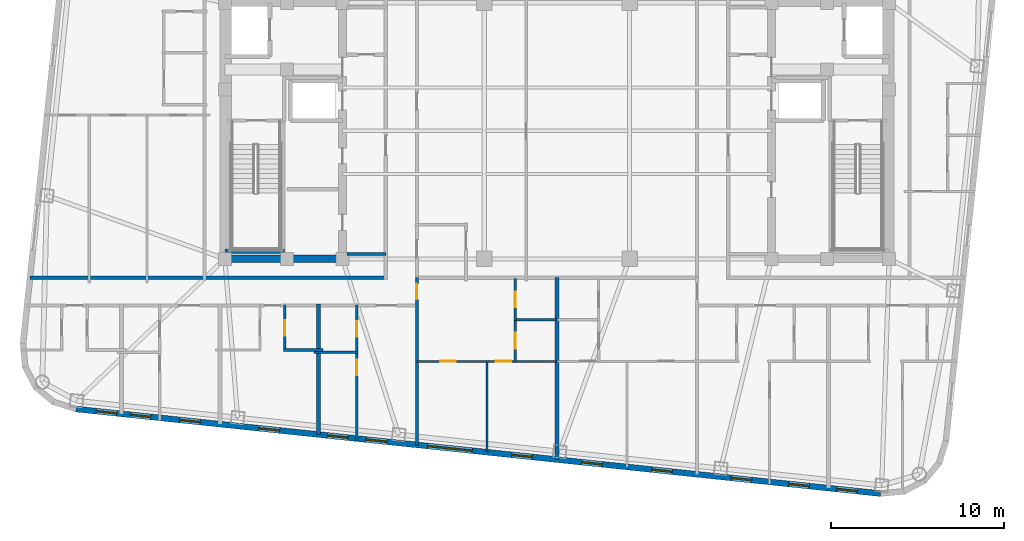
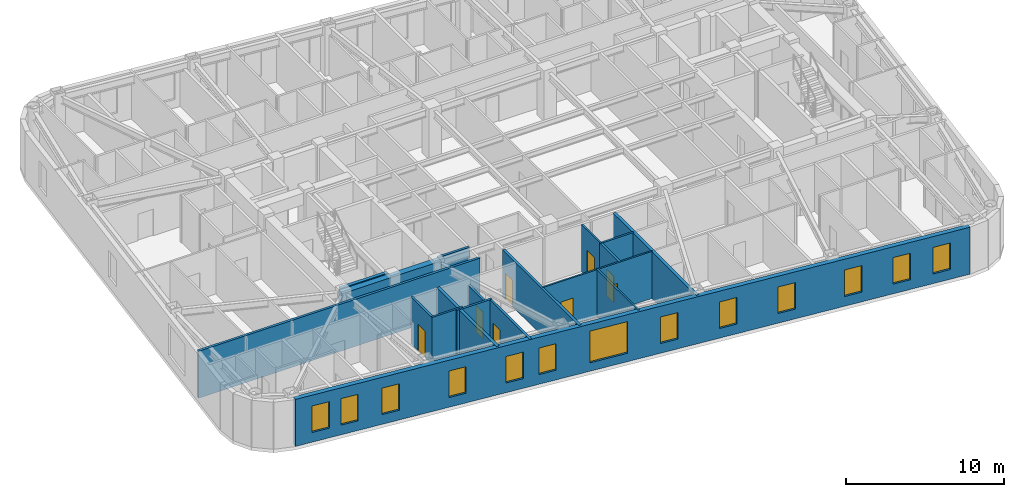
# One storey, part 3 of 11: 18 walls, 13 windows, 8 doors, 21 openings.
"""IFC4 building model written with IfcOpenShell, lengths in metres."""

from ifc_helpers import new_model, si_unit, direction, frame, frame_2d, origin, place, context, subcontext, project, spatial, rectangle, extrude, material, layer, layer_set, type_object, element, fill, save


model = new_model("IFC4")

# Units and contexts
model_context = context("Model", 3, precision=1e-05, world=origin(), true_north=direction((0.0, 1.0)))
body_context = subcontext(model_context, "Body", "Model", "MODEL_VIEW")
ifc_project = project(units=[si_unit("LENGTHUNIT", "METRE"), si_unit("AREAUNIT", "SQUARE_METRE"), si_unit("VOLUMEUNIT", "CUBIC_METRE"), si_unit("PLANEANGLEUNIT", "RADIAN"), si_unit("MASSUNIT", "GRAM", prefix="KILO")], contexts=[model_context])

# Site, building, storey
site_placement = place(None, origin())
site = spatial("IfcSite", under=ifc_project, at=site_placement, CompositionType="ELEMENT")
building_placement = place(site_placement, origin())
building = spatial("IfcBuilding", under=site, at=building_placement, Name="Voryun Gate Residences", CompositionType="ELEMENT")
storey_placement = place(building_placement, frame((0.0, 0.0, 299.0)))
storey = spatial("IfcBuildingStorey", under=building, at=storey_placement, Name="L74", CompositionType="ELEMENT", Elevation=299.0)

# Walls
ifc_material_1 = material(Name="Concrete C50/60", Category="concrete")
ifc_layer_1 = layer(ifc_material_1, 0.449951171875, Name="CW_CORE_450")
ifc_layer_set_1 = layer_set([ifc_layer_1], Name="Concrete C50/60")
wall_type_1 = type_object("IfcWallType", Name="CW_CORE_450", PredefinedType="SHEAR", material=ifc_layer_set_1)
wall_1_placement = place(storey_placement, frame((-19.425048828125, -7.39990234375, 0.0), z_axis=(0.0, 0.0, 1.0), x_axis=(1.0, 0.0, 0.0)))
element("IfcWall", 1, at=wall_1_placement, inside=storey, type_object=wall_type_1, Name="L74 Core shear wall CW-L74-WS", PredefinedType="SHEAR", context=body_context, shape_type="SweptSolid", body=[
    extrude(rectangle(XDim=7.25, YDim=0.449951171875, at=frame_2d((3.625, 0.0))), origin(), (0.0, 0.0, 1.0), 3.635009765625),
])
ifc_material_2 = material(Name="Gypsum acoustic fireboard")
ifc_layer_2 = layer(ifc_material_2, 0.179931640625, Name="W_CORR_RATED_180")
ifc_layer_set_2 = layer_set([ifc_layer_2], Name="Gypsum acoustic fireboard")
wall_type_2 = type_object("IfcWallType", Name="W_CORR_RATED_180", PredefinedType="PARTITIONING", material=ifc_layer_set_2)
wall_2_placement = place(storey_placement, frame((-12.14990234375, -7.1201171875, 0.0), z_axis=(0.0, 0.0, 1.0), x_axis=(1.0, 0.0, 0.0)))
element("IfcWall", 2, at=wall_2_placement, inside=storey, type_object=wall_type_2, Name="Partition wall WP-L74-PLBS-W", PredefinedType="PARTITIONING", context=body_context, shape_type="SweptSolid", body=[
    extrude(rectangle(XDim=2.27001953125, YDim=0.179931640625, at=frame_2d((1.135009765625, 0.0))), origin(), (0.0, 0.0, 1.0), 3.635009765625),
])
wall_3_placement = place(storey_placement, frame((-30.47021484375, -8.489990234375, 0.0), z_axis=(0.0, 0.0, 1.0), x_axis=(1.0, 0.0, 0.0)))
element("IfcWall", 3, at=wall_3_placement, inside=storey, type_object=wall_type_2, Name="Partition wall WP-L74-CWING-WS", PredefinedType="PARTITIONING", context=body_context, shape_type="SweptSolid", body=[
    extrude(rectangle(XDim=20.59033203125, YDim=0.179931640625, at=frame_2d((10.295166015625, 0.0))), origin(), (0.0, 0.0, 1.0), 3.635009765625),
])

# Wall, opening, door
wall_4_placement = place(storey_placement, frame((-8.10009765625, -18.154541015625, 0.0), z_axis=(0.0, 0.0, 1.0), x_axis=(0.0, 1.0, 0.0)))
wall_4 = element("IfcWall", 4, at=wall_4_placement, inside=storey, type_object=wall_type_2, Name="Partition wall WP-L74-SZV-1", PredefinedType="PARTITIONING", context=body_context, shape_type="SweptSolid", body=[
    extrude(rectangle(XDim=9.66455078125, YDim=0.179931640625, at=frame_2d((4.832275390625, 0.0))), origin(), (0.0, 0.0, 1.0), 3.635009765625),
])
opening_1_placement = place(wall_4_placement, frame((8.414306640625, 0.0, 0.0)))
opening_1 = element("IfcOpeningElement", 5, at=opening_1_placement, cuts=wall_4, Name="Opening D-INT-2", PredefinedType="OPENING", context=body_context, shape_type="SweptSolid", body=[
    extrude(rectangle(XDim=0.89990234375, YDim=2.050048828125, at=frame_2d((0.449951171875, 1.02490234375))), frame((0.0, 0.099853515625, 0.0), z_axis=(0.0, -1.0, 0.0), x_axis=(1.0, 0.0, 0.0)), (0.0, 0.0, 1.0), 0.199951171875),
])
ifc_material_3 = material(Name="Architectural oak veneer")
door_type = type_object("IfcDoorType", Name="DR_INT_BATH_900", OperationType="NOTDEFINED", PredefinedType="DOOR", material=ifc_material_3)
door_1_placement = place(opening_1_placement, origin())
door_1 = element("IfcDoor", 6, at=door_1_placement, inside=storey, type_object=door_type, Name="Door DR-L74-SZENT-1", OperationType="SINGLE_SWING_LEFT", OverallHeight=2.050048828125, OverallWidth=0.89990234375, PredefinedType="DOOR", context=body_context, shape_type="SweptSolid", body=[
    extrude(rectangle(XDim=0.89990234375, YDim=2.050048828125, at=frame_2d((0.449951171875, 1.02490234375))), frame((0.0, 0.02490234375, 0.0), z_axis=(0.0, -1.0, 0.0), x_axis=(1.0, 0.0, 0.0)), (0.0, 0.0, 1.0), 0.050048828125),
])
fill(opening_1, door_1)

# Wall, openings, windows
ifc_material_4 = material(Name="Charcoal terracotta masonry", Category="masonry")
ifc_layer_3 = layer(ifc_material_4, 0.340087890625, Name="W_EXT_TERRACOTTA_340")
ifc_layer_set_3 = layer_set([ifc_layer_3], Name="Charcoal terracotta masonry")
wall_type_3 = type_object("IfcWallType", Name="W_EXT_TERRACOTTA_340", PredefinedType="ELEMENTEDWALL", material=ifc_layer_set_3)
wall_5_placement = place(storey_placement, frame((18.707763671875, -20.97216796875, 0.0), z_axis=(0.0, 0.0, 1.0), x_axis=(-0.994521888554, 0.104528528102, 0.0)))
wall_5 = element("IfcWall", 7, at=wall_5_placement, inside=storey, type_object=wall_type_3, Name="Exterior wall WEXT-L74-01", PredefinedType="ELEMENTEDWALL", context=body_context, shape_type="SweptSolid", body=[
    extrude(rectangle(XDim=46.766357421875, YDim=0.340087890625, at=frame_2d((23.38330078125, 0.0))), origin(), (0.0, 0.0, 1.0), 3.635009765625),
])
opening_2_placement = place(wall_5_placement, frame((23.733154296875, 0.0, 0.64990234375)))
opening_2 = element("IfcOpeningElement", 8, at=opening_2_placement, cuts=wall_5, Name="Opening WN4", PredefinedType="OPENING", context=body_context, shape_type="SweptSolid", body=[
    extrude(rectangle(XDim=2.60009765625, YDim=2.449951171875, at=frame_2d((1.300048828125, 1.22509765625))), frame((0.0, 0.179931640625, 0.0), z_axis=(0.0, -1.0, 0.0), x_axis=(1.0, 0.0, 0.0)), (0.0, 0.0, 1.0), 0.360107421875),
])
opening_3_placement = place(wall_5_placement, frame((44.40185546875, 0.0, 0.75)))
opening_3 = element("IfcOpeningElement", 9, at=opening_3_placement, cuts=wall_5, Name="Opening WN6", PredefinedType="OPENING", context=body_context, shape_type="SweptSolid", body=[
    extrude(rectangle(XDim=1.199951171875, YDim=2.050048828125, at=frame_2d((0.60009765625, 1.02490234375))), frame((0.0, 0.179931640625, 0.0), z_axis=(0.0, -1.0, 0.0), x_axis=(1.0, 0.0, 0.0)), (0.0, 0.0, 1.0), 0.360107421875),
])
opening_4_placement = place(wall_5_placement, frame((39.552978515625, 0.0, 0.75)))
opening_4 = element("IfcOpeningElement", 10, at=opening_4_placement, cuts=wall_5, Name="Opening WN6", PredefinedType="OPENING", context=body_context, shape_type="SweptSolid", body=[
    extrude(rectangle(XDim=1.199951171875, YDim=2.050048828125, at=frame_2d((0.60009765625, 1.02490234375))), frame((0.0, 0.179931640625, 0.0), z_axis=(0.0, -1.0, 0.0), x_axis=(1.0, 0.0, 0.0)), (0.0, 0.0, 1.0), 0.360107421875),
])
opening_5_placement = place(wall_5_placement, frame((42.418701171875, 0.0, 0.75)))
opening_5 = element("IfcOpeningElement", 11, at=opening_5_placement, cuts=wall_5, Name="Opening WN6", PredefinedType="OPENING", context=body_context, shape_type="SweptSolid", body=[
    extrude(rectangle(XDim=1.199951171875, YDim=2.050048828125, at=frame_2d((0.60009765625, 1.02490234375))), frame((0.0, 0.179931640625, 0.0), z_axis=(0.0, -1.0, 0.0), x_axis=(1.0, 0.0, 0.0)), (0.0, 0.0, 1.0), 0.360107421875),
])
opening_6_placement = place(wall_5_placement, frame((34.93310546875, 0.0, 0.75)))
opening_6 = element("IfcOpeningElement", 12, at=opening_6_placement, cuts=wall_5, Name="Opening WN6", PredefinedType="OPENING", context=body_context, shape_type="SweptSolid", body=[
    extrude(rectangle(XDim=1.199951171875, YDim=2.050048828125, at=frame_2d((0.60009765625, 1.02490234375))), frame((0.0, 0.179931640625, 0.0), z_axis=(0.0, -1.0, 0.0), x_axis=(1.0, 0.0, 0.0)), (0.0, 0.0, 1.0), 0.360107421875),
])
opening_7_placement = place(wall_5_placement, frame((28.69189453125, 0.0, 0.75)))
opening_7 = element("IfcOpeningElement", 13, at=opening_7_placement, cuts=wall_5, Name="Opening WN6", PredefinedType="OPENING", context=body_context, shape_type="SweptSolid", body=[
    extrude(rectangle(XDim=1.199951171875, YDim=2.050048828125, at=frame_2d((0.60009765625, 1.02490234375))), frame((0.0, 0.179931640625, 0.0), z_axis=(0.0, -1.0, 0.0), x_axis=(1.0, 0.0, 0.0)), (0.0, 0.0, 1.0), 0.360107421875),
])
opening_8_placement = place(wall_5_placement, frame((30.95703125, 0.0, 0.75)))
opening_8 = element("IfcOpeningElement", 14, at=opening_8_placement, cuts=wall_5, Name="Opening WN6", PredefinedType="OPENING", context=body_context, shape_type="SweptSolid", body=[
    extrude(rectangle(XDim=1.199951171875, YDim=2.050048828125, at=frame_2d((0.60009765625, 1.02490234375))), frame((0.0, 0.179931640625, 0.0), z_axis=(0.0, -1.0, 0.0), x_axis=(1.0, 0.0, 0.0)), (0.0, 0.0, 1.0), 0.360107421875),
])
opening_9_placement = place(wall_5_placement, frame((7.491943359375, 0.0, 0.75)))
opening_9 = element("IfcOpeningElement", 15, at=opening_9_placement, cuts=wall_5, Name="Opening WN6", PredefinedType="OPENING", context=body_context, shape_type="SweptSolid", body=[
    extrude(rectangle(XDim=1.199951171875, YDim=2.050048828125, at=frame_2d((0.60009765625, 1.02490234375))), frame((0.0, 0.179931640625, 0.0), z_axis=(0.0, -1.0, 0.0), x_axis=(1.0, 0.0, 0.0)), (0.0, 0.0, 1.0), 0.360107421875),
])
opening_10_placement = place(wall_5_placement, frame((4.14111328125, 0.0, 0.75)))
opening_10 = element("IfcOpeningElement", 16, at=opening_10_placement, cuts=wall_5, Name="Opening WN6", PredefinedType="OPENING", context=body_context, shape_type="SweptSolid", body=[
    extrude(rectangle(XDim=1.199951171875, YDim=2.050048828125, at=frame_2d((0.60009765625, 1.02490234375))), frame((0.0, 0.179931640625, 0.0), z_axis=(0.0, -1.0, 0.0), x_axis=(1.0, 0.0, 0.0)), (0.0, 0.0, 1.0), 0.360107421875),
])
opening_11_placement = place(wall_5_placement, frame((1.359619140625, 0.0, 0.75)))
opening_11 = element("IfcOpeningElement", 17, at=opening_11_placement, cuts=wall_5, Name="Opening WN6", PredefinedType="OPENING", context=body_context, shape_type="SweptSolid", body=[
    extrude(rectangle(XDim=1.199951171875, YDim=2.050048828125, at=frame_2d((0.60009765625, 1.02490234375))), frame((0.0, 0.179931640625, 0.0), z_axis=(0.0, -1.0, 0.0), x_axis=(1.0, 0.0, 0.0)), (0.0, 0.0, 1.0), 0.360107421875),
])
opening_12_placement = place(wall_5_placement, frame((20.25439453125, 0.0, 0.75)))
opening_12 = element("IfcOpeningElement", 18, at=opening_12_placement, cuts=wall_5, Name="Opening WN6", PredefinedType="OPENING", context=body_context, shape_type="SweptSolid", body=[
    extrude(rectangle(XDim=1.199951171875, YDim=2.050048828125, at=frame_2d((0.60009765625, 1.02490234375))), frame((0.0, 0.179931640625, 0.0), z_axis=(0.0, -1.0, 0.0), x_axis=(1.0, 0.0, 0.0)), (0.0, 0.0, 1.0), 0.360107421875),
])
opening_13_placement = place(wall_5_placement, frame((16.172119140625, 0.0, 0.75)))
opening_13 = element("IfcOpeningElement", 19, at=opening_13_placement, cuts=wall_5, Name="Opening WN6", PredefinedType="OPENING", context=body_context, shape_type="SweptSolid", body=[
    extrude(rectangle(XDim=1.199951171875, YDim=2.050048828125, at=frame_2d((0.60009765625, 1.02490234375))), frame((0.0, 0.179931640625, 0.0), z_axis=(0.0, -1.0, 0.0), x_axis=(1.0, 0.0, 0.0)), (0.0, 0.0, 1.0), 0.360107421875),
])
opening_14_placement = place(wall_5_placement, frame((12.109619140625, 0.0, 0.75)))
opening_14 = element("IfcOpeningElement", 20, at=opening_14_placement, cuts=wall_5, Name="Opening WN6", PredefinedType="OPENING", context=body_context, shape_type="SweptSolid", body=[
    extrude(rectangle(XDim=1.199951171875, YDim=2.050048828125, at=frame_2d((0.60009765625, 1.02490234375))), frame((0.0, 0.179931640625, 0.0), z_axis=(0.0, -1.0, 0.0), x_axis=(1.0, 0.0, 0.0)), (0.0, 0.0, 1.0), 0.360107421875),
])
ifc_material_5 = material(Name="Laminated low-E glass", Category="glass")
window_type_1 = type_object("IfcWindowType", Name="WN_PENT_TALL_2600", PartitioningType="SINGLE_PANEL", PredefinedType="WINDOW", material=ifc_material_5)
window_1_placement = place(opening_2_placement, origin())
window_1 = element("IfcWindow", 21, at=window_1_placement, inside=storey, type_object=window_type_1, Name="Window WN-WEXT-L74-01-02", OverallHeight=2.449951171875, OverallWidth=2.60009765625, PartitioningType="SINGLE_PANEL", PredefinedType="WINDOW", context=body_context, shape_type="SweptSolid", body=[
    extrude(rectangle(XDim=2.60009765625, YDim=2.449951171875, at=frame_2d((1.300048828125, 1.22509765625))), frame((0.0, 0.030029296875, 0.0), z_axis=(0.0, -1.0, 0.0), x_axis=(1.0, 0.0, 0.0)), (0.0, 0.0, 1.0), 0.06005859375),
])
fill(opening_2, window_1)
ifc_material_6 = material(Name="Laminated low-E glass", Category="glass")
window_type_2 = type_object("IfcWindowType", Name="WN_POD_SLOT_1200", PartitioningType="SINGLE_PANEL", PredefinedType="WINDOW", material=ifc_material_6)
window_2_placement = place(opening_3_placement, origin())
window_2 = element("IfcWindow", 22, at=window_2_placement, inside=storey, type_object=window_type_2, Name="Window WN-L74-DWFIX-15", OverallHeight=2.050048828125, OverallWidth=1.199951171875, PartitioningType="SINGLE_PANEL", PredefinedType="WINDOW", context=body_context, shape_type="SweptSolid", body=[
    extrude(rectangle(XDim=1.199951171875, YDim=2.050048828125, at=frame_2d((0.60009765625, 1.02490234375))), frame((0.0, 0.030029296875, 0.0), z_axis=(0.0, -1.0, 0.0), x_axis=(1.0, 0.0, 0.0)), (0.0, 0.0, 1.0), 0.06005859375),
])
fill(opening_3, window_2)
window_3_placement = place(opening_4_placement, origin())
window_3 = element("IfcWindow", 23, at=window_3_placement, inside=storey, type_object=window_type_2, Name="Window WN-L74-DWFIX-16", OverallHeight=2.050048828125, OverallWidth=1.199951171875, PartitioningType="SINGLE_PANEL", PredefinedType="WINDOW", context=body_context, shape_type="SweptSolid", body=[
    extrude(rectangle(XDim=1.199951171875, YDim=2.050048828125, at=frame_2d((0.60009765625, 1.02490234375))), frame((0.0, 0.030029296875, 0.0), z_axis=(0.0, -1.0, 0.0), x_axis=(1.0, 0.0, 0.0)), (0.0, 0.0, 1.0), 0.06005859375),
])
fill(opening_4, window_3)
window_4_placement = place(opening_5_placement, origin())
window_4 = element("IfcWindow", 24, at=window_4_placement, inside=storey, type_object=window_type_2, Name="Window WN-L74-DWFIX-17", OverallHeight=2.050048828125, OverallWidth=1.199951171875, PartitioningType="SINGLE_PANEL", PredefinedType="WINDOW", context=body_context, shape_type="SweptSolid", body=[
    extrude(rectangle(XDim=1.199951171875, YDim=2.050048828125, at=frame_2d((0.60009765625, 1.02490234375))), frame((0.0, 0.030029296875, 0.0), z_axis=(0.0, -1.0, 0.0), x_axis=(1.0, 0.0, 0.0)), (0.0, 0.0, 1.0), 0.06005859375),
])
fill(opening_5, window_4)
window_5_placement = place(opening_6_placement, origin())
window_5 = element("IfcWindow", 25, at=window_5_placement, inside=storey, type_object=window_type_2, Name="Window WN-L74-DWFIX-18", OverallHeight=2.050048828125, OverallWidth=1.199951171875, PartitioningType="SINGLE_PANEL", PredefinedType="WINDOW", context=body_context, shape_type="SweptSolid", body=[
    extrude(rectangle(XDim=1.199951171875, YDim=2.050048828125, at=frame_2d((0.60009765625, 1.02490234375))), frame((0.0, 0.030029296875, 0.0), z_axis=(0.0, -1.0, 0.0), x_axis=(1.0, 0.0, 0.0)), (0.0, 0.0, 1.0), 0.06005859375),
])
fill(opening_6, window_5)
window_6_placement = place(opening_7_placement, origin())
window_6 = element("IfcWindow", 26, at=window_6_placement, inside=storey, type_object=window_type_2, Name="Window WN-L74-DWFIX-19", OverallHeight=2.050048828125, OverallWidth=1.199951171875, PartitioningType="SINGLE_PANEL", PredefinedType="WINDOW", context=body_context, shape_type="SweptSolid", body=[
    extrude(rectangle(XDim=1.199951171875, YDim=2.050048828125, at=frame_2d((0.60009765625, 1.02490234375))), frame((0.0, 0.030029296875, 0.0), z_axis=(0.0, -1.0, 0.0), x_axis=(1.0, 0.0, 0.0)), (0.0, 0.0, 1.0), 0.06005859375),
])
fill(opening_7, window_6)
window_7_placement = place(opening_8_placement, origin())
window_7 = element("IfcWindow", 27, at=window_7_placement, inside=storey, type_object=window_type_2, Name="Window WN-L74-DWFIX-20", OverallHeight=2.050048828125, OverallWidth=1.199951171875, PartitioningType="SINGLE_PANEL", PredefinedType="WINDOW", context=body_context, shape_type="SweptSolid", body=[
    extrude(rectangle(XDim=1.199951171875, YDim=2.050048828125, at=frame_2d((0.60009765625, 1.02490234375))), frame((0.0, 0.030029296875, 0.0), z_axis=(0.0, -1.0, 0.0), x_axis=(1.0, 0.0, 0.0)), (0.0, 0.0, 1.0), 0.06005859375),
])
fill(opening_8, window_7)
window_8_placement = place(opening_9_placement, origin())
window_8 = element("IfcWindow", 28, at=window_8_placement, inside=storey, type_object=window_type_2, Name="Window WN-L74-DWFIX-21", OverallHeight=2.050048828125, OverallWidth=1.199951171875, PartitioningType="SINGLE_PANEL", PredefinedType="WINDOW", context=body_context, shape_type="SweptSolid", body=[
    extrude(rectangle(XDim=1.199951171875, YDim=2.050048828125, at=frame_2d((0.60009765625, 1.02490234375))), frame((0.0, 0.030029296875, 0.0), z_axis=(0.0, -1.0, 0.0), x_axis=(1.0, 0.0, 0.0)), (0.0, 0.0, 1.0), 0.06005859375),
])
fill(opening_9, window_8)
window_9_placement = place(opening_10_placement, origin())
window_9 = element("IfcWindow", 29, at=window_9_placement, inside=storey, type_object=window_type_2, Name="Window WN-L74-DWFIX-22", OverallHeight=2.050048828125, OverallWidth=1.199951171875, PartitioningType="SINGLE_PANEL", PredefinedType="WINDOW", context=body_context, shape_type="SweptSolid", body=[
    extrude(rectangle(XDim=1.199951171875, YDim=2.050048828125, at=frame_2d((0.60009765625, 1.02490234375))), frame((0.0, 0.030029296875, 0.0), z_axis=(0.0, -1.0, 0.0), x_axis=(1.0, 0.0, 0.0)), (0.0, 0.0, 1.0), 0.06005859375),
])
fill(opening_10, window_9)
window_10_placement = place(opening_11_placement, origin())
window_10 = element("IfcWindow", 30, at=window_10_placement, inside=storey, type_object=window_type_2, Name="Window WN-L74-DWFIX-23", OverallHeight=2.050048828125, OverallWidth=1.199951171875, PartitioningType="SINGLE_PANEL", PredefinedType="WINDOW", context=body_context, shape_type="SweptSolid", body=[
    extrude(rectangle(XDim=1.199951171875, YDim=2.050048828125, at=frame_2d((0.60009765625, 1.02490234375))), frame((0.0, 0.030029296875, 0.0), z_axis=(0.0, -1.0, 0.0), x_axis=(1.0, 0.0, 0.0)), (0.0, 0.0, 1.0), 0.06005859375),
])
fill(opening_11, window_10)
window_11_placement = place(opening_12_placement, origin())
window_11 = element("IfcWindow", 31, at=window_11_placement, inside=storey, type_object=window_type_2, Name="Window WN-L74-DWFIX-25", OverallHeight=2.050048828125, OverallWidth=1.199951171875, PartitioningType="SINGLE_PANEL", PredefinedType="WINDOW", context=body_context, shape_type="SweptSolid", body=[
    extrude(rectangle(XDim=1.199951171875, YDim=2.050048828125, at=frame_2d((0.60009765625, 1.02490234375))), frame((0.0, 0.030029296875, 0.0), z_axis=(0.0, -1.0, 0.0), x_axis=(1.0, 0.0, 0.0)), (0.0, 0.0, 1.0), 0.06005859375),
])
fill(opening_12, window_11)
window_12_placement = place(opening_13_placement, origin())
window_12 = element("IfcWindow", 32, at=window_12_placement, inside=storey, type_object=window_type_2, Name="Window WN-L74-DWFIX-26", OverallHeight=2.050048828125, OverallWidth=1.199951171875, PartitioningType="SINGLE_PANEL", PredefinedType="WINDOW", context=body_context, shape_type="SweptSolid", body=[
    extrude(rectangle(XDim=1.199951171875, YDim=2.050048828125, at=frame_2d((0.60009765625, 1.02490234375))), frame((0.0, 0.030029296875, 0.0), z_axis=(0.0, -1.0, 0.0), x_axis=(1.0, 0.0, 0.0)), (0.0, 0.0, 1.0), 0.06005859375),
])
fill(opening_13, window_12)
window_13_placement = place(opening_14_placement, origin())
window_13 = element("IfcWindow", 33, at=window_13_placement, inside=storey, type_object=window_type_2, Name="Window WN-L74-DWFIX-27", OverallHeight=2.050048828125, OverallWidth=1.199951171875, PartitioningType="SINGLE_PANEL", PredefinedType="WINDOW", context=body_context, shape_type="SweptSolid", body=[
    extrude(rectangle(XDim=1.199951171875, YDim=2.050048828125, at=frame_2d((0.60009765625, 1.02490234375))), frame((0.0, 0.030029296875, 0.0), z_axis=(0.0, -1.0, 0.0), x_axis=(1.0, 0.0, 0.0)), (0.0, 0.0, 1.0), 0.06005859375),
])
fill(opening_14, window_13)

# Walls
ifc_material_7 = material(Name="Concrete C40/50", Category="concrete")
ifc_layer_4 = layer(ifc_material_7, 0.219970703125, Name="W_PARTY_ACOUSTIC_220")
ifc_layer_set_4 = layer_set([ifc_layer_4], Name="Concrete C40/50")
wall_type_4 = type_object("IfcWallType", Name="W_PARTY_ACOUSTIC_220", PredefinedType="PARTITIONING", material=ifc_layer_set_4)
wall_6_placement = place(storey_placement, frame((-13.779052734375, -17.5576171875, 0.0), z_axis=(0.0, 0.0, 1.0), x_axis=(0.0, 1.0, 0.0)))
element("IfcWall", 34, at=wall_6_placement, inside=storey, type_object=wall_type_4, Name="Partition wall WP-L74-SPTY-3", PredefinedType="PARTITIONING", context=body_context, shape_type="SweptSolid", body=[
    extrude(rectangle(XDim=7.53759765625, YDim=0.219970703125, at=frame_2d((3.768798828125, 0.0))), origin(), (0.0, 0.0, 1.0), 3.635009765625),
])
wall_7_placement = place(storey_placement, frame((0.0, -19.005859375, 0.0), z_axis=(0.0, 0.0, 1.0), x_axis=(0.0, 1.0, 0.0)))
element("IfcWall", 35, at=wall_7_placement, inside=storey, type_object=wall_type_4, Name="Partition wall WP-L74-SZMID", PredefinedType="PARTITIONING", context=body_context, shape_type="SweptSolid", body=[
    extrude(rectangle(XDim=10.515869140625, YDim=0.219970703125, at=frame_2d((5.2578125, 0.0))), origin(), (0.0, 0.0, 1.0), 3.635009765625),
])
ifc_material_8 = material(Name="Concrete C50/60", Category="concrete")
ifc_layer_5 = layer(ifc_material_8, 0.25, Name="W_SHAFT_RC250")
ifc_layer_set_5 = layer_set([ifc_layer_5], Name="Concrete C50/60")
wall_type_5 = type_object("IfcWallType", Name="W_SHAFT_RC250", PredefinedType="SOLIDWALL", material=ifc_layer_set_5)
wall_8_placement = place(storey_placement, frame((-19.199951171875, -6.965087890625, 0.0), z_axis=(0.0, 0.0, 1.0), x_axis=(1.0, 0.0, 0.0)))
element("IfcWall", 36, at=wall_8_placement, inside=storey, type_object=wall_type_5, Name="L74 Stair shaft structural wall W-STS", PredefinedType="SOLIDWALL", context=body_context, shape_type="SweptSolid", body=[
    extrude(rectangle(XDim=3.4599609375, YDim=0.25, at=frame_2d((1.72998046875, 0.0))), origin(), (0.0, 0.0, 1.0), 3.635009765625),
])

# Wall, openings, doors
ifc_material_9 = material(Name="Gypsum acoustic partition")
ifc_layer_6 = layer(ifc_material_9, 0.125, Name="W_UNIT_PART_125")
ifc_layer_set_6 = layer_set([ifc_layer_6], Name="Gypsum acoustic partition")
wall_type_6 = type_object("IfcWallType", Name="W_UNIT_PART_125", PredefinedType="PARTITIONING", material=ifc_layer_set_6)
wall_9_placement = place(storey_placement, frame((-8.080078125, -13.330078125, 0.0), z_axis=(0.0, 0.0, 1.0), x_axis=(1.0, 0.0, 0.0)))
wall_9 = element("IfcWall", 37, at=wall_9_placement, inside=storey, type_object=wall_type_6, Name="Partition wall WP-L74-SC1-HZ", PredefinedType="PARTITIONING", context=body_context, shape_type="SweptSolid", body=[
    extrude(rectangle(XDim=8.06005859375, YDim=0.125, at=frame_2d((4.030029296875, 0.0))), origin(), (0.0, 0.0, 1.0), 3.635009765625),
])
opening_15_placement = place(wall_9_placement, frame((1.3232421875, 0.0, 0.0)))
opening_15 = element("IfcOpeningElement", 38, at=opening_15_placement, cuts=wall_9, Name="Opening D-INT-2", PredefinedType="OPENING", context=body_context, shape_type="SweptSolid", body=[
    extrude(rectangle(XDim=0.89990234375, YDim=2.050048828125, at=frame_2d((0.449951171875, 1.02490234375))), frame((0.0, 0.072509765625, 0.0), z_axis=(0.0, -1.0, 0.0), x_axis=(1.0, 0.0, 0.0)), (0.0, 0.0, 1.0), 0.14501953125),
])
opening_16_placement = place(wall_9_placement, frame((4.547119140625, 0.0, 0.0)))
opening_16 = element("IfcOpeningElement", 39, at=opening_16_placement, cuts=wall_9, Name="Opening D-INT-2", PredefinedType="OPENING", context=body_context, shape_type="SweptSolid", body=[
    extrude(rectangle(XDim=0.89990234375, YDim=2.050048828125, at=frame_2d((0.449951171875, 1.02490234375))), frame((0.0, 0.072509765625, 0.0), z_axis=(0.0, -1.0, 0.0), x_axis=(1.0, 0.0, 0.0)), (0.0, 0.0, 1.0), 0.14501953125),
])
door_2_placement = place(opening_15_placement, origin())
door_2 = element("IfcDoor", 40, at=door_2_placement, inside=storey, type_object=door_type, Name="Door DR-L74-SC1-DMB", OperationType="SINGLE_SWING_LEFT", OverallHeight=2.050048828125, OverallWidth=0.89990234375, PredefinedType="DOOR", context=body_context, shape_type="SweptSolid", body=[
    extrude(rectangle(XDim=0.89990234375, YDim=2.050048828125, at=frame_2d((0.449951171875, 1.02490234375))), frame((0.0, 0.02490234375, 0.0), z_axis=(0.0, -1.0, 0.0), x_axis=(1.0, 0.0, 0.0)), (0.0, 0.0, 1.0), 0.050048828125),
])
fill(opening_15, door_2)
door_3_placement = place(opening_16_placement, origin())
door_3 = element("IfcDoor", 41, at=door_3_placement, inside=storey, type_object=door_type, Name="Door DR-L74-SC1-DBD2", OperationType="SINGLE_SWING_RIGHT", OverallHeight=2.050048828125, OverallWidth=0.89990234375, PredefinedType="DOOR", context=body_context, shape_type="SweptSolid", body=[
    extrude(rectangle(XDim=0.89990234375, YDim=2.050048828125, at=frame_2d((0.449951171875, 1.02490234375))), frame((0.0, 0.02490234375, 0.0), z_axis=(0.0, -1.0, 0.0), x_axis=(1.0, 0.0, 0.0)), (0.0, 0.0, 1.0), 0.050048828125),
])
fill(opening_16, door_3)

# Wall, opening, door
wall_10_placement = place(storey_placement, frame((-2.409912109375, -10.9599609375, 0.0), z_axis=(0.0, 0.0, 1.0), x_axis=(0.0, 1.0, 0.0)))
wall_10 = element("IfcWall", 42, at=wall_10_placement, inside=storey, type_object=wall_type_6, Name="Partition wall WP-L74-SC1-VK1", PredefinedType="PARTITIONING", context=body_context, shape_type="SweptSolid", body=[
    extrude(rectangle(XDim=2.409912109375, YDim=0.125, at=frame_2d((1.205078125, 0.0))), origin(), (0.0, 0.0, 1.0), 3.635009765625),
])
opening_17_placement = place(wall_10_placement, frame((0.7548828125, 0.0, 0.0)))
opening_17 = element("IfcOpeningElement", 43, at=opening_17_placement, cuts=wall_10, Name="Opening D-INT-2", PredefinedType="OPENING", context=body_context, shape_type="SweptSolid", body=[
    extrude(rectangle(XDim=0.89990234375, YDim=2.050048828125, at=frame_2d((0.449951171875, 1.02490234375))), frame((0.0, 0.072509765625, 0.0), z_axis=(0.0, -1.0, 0.0), x_axis=(1.0, 0.0, 0.0)), (0.0, 0.0, 1.0), 0.14501953125),
])
door_4_placement = place(opening_17_placement, origin())
door_4 = element("IfcDoor", 44, at=door_4_placement, inside=storey, type_object=door_type, Name="Door DR-L74-SC1-DK", OperationType="SINGLE_SWING_LEFT", OverallHeight=2.050048828125, OverallWidth=0.89990234375, PredefinedType="DOOR", context=body_context, shape_type="SweptSolid", body=[
    extrude(rectangle(XDim=0.89990234375, YDim=2.050048828125, at=frame_2d((0.449951171875, 1.02490234375))), frame((0.0, 0.02490234375, 0.0), z_axis=(0.0, -1.0, 0.0), x_axis=(1.0, 0.0, 0.0)), (0.0, 0.0, 1.0), 0.050048828125),
])
fill(opening_17, door_4)

# Wall
wall_11_placement = place(storey_placement, frame((-4.050048828125, -18.580078125, 0.0), z_axis=(0.0, 0.0, 1.0), x_axis=(0.0, 1.0, 0.0)))
element("IfcWall", 45, at=wall_11_placement, inside=storey, type_object=wall_type_6, Name="Partition wall WP-L74-SC1-VBD", PredefinedType="PARTITIONING", context=body_context, shape_type="SweptSolid", body=[
    extrude(rectangle(XDim=5.2900390625, YDim=0.125, at=frame_2d((2.64501953125, 0.0))), origin(), (0.0, 0.0, 1.0), 3.635009765625),
])

# Wall, opening, door
ifc_material_10 = material(Name="Gypsum moisture-resistant partition")
ifc_layer_7 = layer(ifc_material_10, 0.14990234375, Name="W_WET_PLUMB_150")
ifc_layer_set_7 = layer_set([ifc_layer_7], Name="Gypsum moisture-resistant partition")
wall_type_7 = type_object("IfcWallType", Name="W_WET_PLUMB_150", PredefinedType="PLUMBINGWALL", material=ifc_layer_set_7)
wall_12_placement = place(storey_placement, frame((-15.736083984375, -12.72998046875, 0.0), z_axis=(0.0, 0.0, 1.0), x_axis=(0.0, 1.0, 0.0)))
wall_12 = element("IfcWall", 46, at=wall_12_placement, inside=storey, type_object=wall_type_7, Name="Partition wall WP-L74-S3-CVB", PredefinedType="PLUMBINGWALL", context=body_context, shape_type="SweptSolid", body=[
    extrude(rectangle(XDim=2.64990234375, YDim=0.14990234375, at=frame_2d((1.324951171875, 0.0))), origin(), (0.0, 0.0, 1.0), 3.635009765625),
])
opening_18_placement = place(wall_12_placement, frame((0.875, 0.0, 0.0)))
opening_18 = element("IfcOpeningElement", 47, at=opening_18_placement, cuts=wall_12, Name="Opening D-INT-2", PredefinedType="OPENING", context=body_context, shape_type="SweptSolid", body=[
    extrude(rectangle(XDim=0.89990234375, YDim=2.050048828125, at=frame_2d((0.449951171875, 1.02490234375))), frame((0.0, 0.0849609375, 0.0), z_axis=(0.0, -1.0, 0.0), x_axis=(1.0, 0.0, 0.0)), (0.0, 0.0, 1.0), 0.169921875),
])
door_5_placement = place(opening_18_placement, origin())
door_5 = element("IfcDoor", 48, at=door_5_placement, inside=storey, type_object=door_type, Name="Door DR-L74-S3-DB", OperationType="SINGLE_SWING_RIGHT", OverallHeight=2.050048828125, OverallWidth=0.89990234375, PredefinedType="DOOR", context=body_context, shape_type="SweptSolid", body=[
    extrude(rectangle(XDim=0.89990234375, YDim=2.050048828125, at=frame_2d((0.449951171875, 1.02490234375))), frame((0.0, 0.02490234375, 0.0), z_axis=(0.0, -1.0, 0.0), x_axis=(1.0, 0.0, 0.0)), (0.0, 0.0, 1.0), 0.050048828125),
])
fill(opening_18, door_5)

# Walls
wall_13_placement = place(storey_placement, frame((-15.7958984375, -12.669921875, 0.0), z_axis=(0.0, 0.0, 1.0), x_axis=(1.0, 0.0, 0.0)))
element("IfcWall", 49, at=wall_13_placement, inside=storey, type_object=wall_type_7, Name="Partition wall WP-L74-S3-CHB", PredefinedType="PLUMBINGWALL", context=body_context, shape_type="SweptSolid", body=[
    extrude(rectangle(XDim=2.27685546875, YDim=0.14990234375, at=frame_2d((1.138427734375, 0.0))), origin(), (0.0, 0.0, 1.0), 3.635009765625),
])
wall_14_placement = place(storey_placement, frame((-14.0390625, -12.800048828125, 0.0), z_axis=(0.0, 0.0, 1.0), x_axis=(1.0, 0.0, 0.0)))
element("IfcWall", 50, at=wall_14_placement, inside=storey, type_object=wall_type_7, Name="Partition wall WP-L74-S4-SKB", PredefinedType="PLUMBINGWALL", context=body_context, shape_type="SweptSolid", body=[
    extrude(rectangle(XDim=2.550048828125, YDim=0.14990234375, at=frame_2d((1.27490234375, 0.0))), origin(), (0.0, 0.0, 1.0), 3.635009765625),
])

# Wall, opening, door
wall_15_placement = place(storey_placement, frame((-11.569091796875, -17.94091796875, 0.0), z_axis=(0.0, 0.0, 1.0), x_axis=(0.0, 1.0, 0.0)))
wall_15 = element("IfcWall", 51, at=wall_15_placement, inside=storey, type_object=wall_type_7, Name="Partition wall WP-L74-S4-SVT1", PredefinedType="PLUMBINGWALL", context=body_context, shape_type="SweptSolid", body=[
    extrude(rectangle(XDim=5.180908203125, YDim=0.14990234375, at=frame_2d((2.59033203125, 0.0))), origin(), (0.0, 0.0, 1.0), 3.635009765625),
])
opening_19_placement = place(wall_15_placement, frame((3.79833984375, 0.0, 0.0)))
opening_19 = element("IfcOpeningElement", 52, at=opening_19_placement, cuts=wall_15, Name="Opening D-INT-2", PredefinedType="OPENING", context=body_context, shape_type="SweptSolid", body=[
    extrude(rectangle(XDim=0.89990234375, YDim=2.050048828125, at=frame_2d((0.449951171875, 1.02490234375))), frame((0.0, 0.0849609375, 0.0), z_axis=(0.0, -1.0, 0.0), x_axis=(1.0, 0.0, 0.0)), (0.0, 0.0, 1.0), 0.169921875),
])
door_6_placement = place(opening_19_placement, origin())
door_6 = element("IfcDoor", 53, at=door_6_placement, inside=storey, type_object=door_type, Name="Door DR-L74-S4-DK", OperationType="SINGLE_SWING_LEFT", OverallHeight=2.050048828125, OverallWidth=0.89990234375, PredefinedType="DOOR", context=body_context, shape_type="SweptSolid", body=[
    extrude(rectangle(XDim=0.89990234375, YDim=2.050048828125, at=frame_2d((0.449951171875, 1.02490234375))), frame((0.0, 0.02490234375, 0.0), z_axis=(0.0, -1.0, 0.0), x_axis=(1.0, 0.0, 0.0)), (0.0, 0.0, 1.0), 0.050048828125),
])
fill(opening_19, door_6)

wall_16_placement = place(storey_placement, frame((-11.569091796875, -12.840087890625, 0.0), z_axis=(0.0, 0.0, 1.0), x_axis=(0.0, 1.0, 0.0)))
wall_16 = element("IfcWall", 54, at=wall_16_placement, inside=storey, type_object=wall_type_7, Name="Partition wall WP-L74-S4-SVT2", PredefinedType="PLUMBINGWALL", context=body_context, shape_type="SweptSolid", body=[
    extrude(rectangle(XDim=2.760009765625, YDim=0.14990234375, at=frame_2d((1.3798828125, 0.0))), origin(), (0.0, 0.0, 1.0), 3.074951171875),
])
opening_20_placement = place(wall_16_placement, frame((0.929931640625, 0.0, 0.0)))
opening_20 = element("IfcOpeningElement", 55, at=opening_20_placement, cuts=wall_16, Name="Opening D-INT-2", PredefinedType="OPENING", context=body_context, shape_type="SweptSolid", body=[
    extrude(rectangle(XDim=0.89990234375, YDim=2.050048828125, at=frame_2d((0.449951171875, 1.02490234375))), frame((0.0, 0.0849609375, 0.0), z_axis=(0.0, -1.0, 0.0), x_axis=(1.0, 0.0, 0.0)), (0.0, 0.0, 1.0), 0.169921875),
])
door_7_placement = place(opening_20_placement, origin())
door_7 = element("IfcDoor", 56, at=door_7_placement, inside=storey, type_object=door_type, Name="Door DR-L74-S4-DB", OperationType="SINGLE_SWING_RIGHT", OverallHeight=2.050048828125, OverallWidth=0.89990234375, PredefinedType="DOOR", context=body_context, shape_type="SweptSolid", body=[
    extrude(rectangle(XDim=0.89990234375, YDim=2.050048828125, at=frame_2d((0.449951171875, 1.02490234375))), frame((0.0, 0.02490234375, 0.0), z_axis=(0.0, -1.0, 0.0), x_axis=(1.0, 0.0, 0.0)), (0.0, 0.0, 1.0), 0.050048828125),
])
fill(opening_20, door_7)

wall_17_placement = place(storey_placement, frame((-2.409912109375, -13.3701171875, 0.0), z_axis=(0.0, 0.0, 1.0), x_axis=(0.0, 1.0, 0.0)))
wall_17 = element("IfcWall", 57, at=wall_17_placement, inside=storey, type_object=wall_type_7, Name="Partition wall WP-L74-SC1-VK2", PredefinedType="PLUMBINGWALL", context=body_context, shape_type="SweptSolid", body=[
    extrude(rectangle(XDim=2.47021484375, YDim=0.14990234375, at=frame_2d((1.235107421875, 0.0))), origin(), (0.0, 0.0, 1.0), 3.635009765625),
])
opening_21_placement = place(wall_17_placement, frame((0.784912109375, 0.0, 0.0)))
opening_21 = element("IfcOpeningElement", 58, at=opening_21_placement, cuts=wall_17, Name="Opening D-INT-2", PredefinedType="OPENING", context=body_context, shape_type="SweptSolid", body=[
    extrude(rectangle(XDim=0.89990234375, YDim=2.050048828125, at=frame_2d((0.449951171875, 1.02490234375))), frame((0.0, 0.0849609375, 0.0), z_axis=(0.0, -1.0, 0.0), x_axis=(1.0, 0.0, 0.0)), (0.0, 0.0, 1.0), 0.169921875),
])
door_8_placement = place(opening_21_placement, origin())
door_8 = element("IfcDoor", 59, at=door_8_placement, inside=storey, type_object=door_type, Name="Door DR-L74-SC1-DB", OperationType="SINGLE_SWING_RIGHT", OverallHeight=2.050048828125, OverallWidth=0.89990234375, PredefinedType="DOOR", context=body_context, shape_type="SweptSolid", body=[
    extrude(rectangle(XDim=0.89990234375, YDim=2.050048828125, at=frame_2d((0.449951171875, 1.02490234375))), frame((0.0, 0.02490234375, 0.0), z_axis=(0.0, -1.0, 0.0), x_axis=(1.0, 0.0, 0.0)), (0.0, 0.0, 1.0), 0.050048828125),
])
fill(opening_21, door_8)

# Wall
wall_18_placement = place(storey_placement, frame((-2.449951171875, -10.929931640625, 0.0), z_axis=(0.0, 0.0, 1.0), x_axis=(1.0, 0.0, 0.0)))
element("IfcWall", 60, at=wall_18_placement, inside=storey, type_object=wall_type_7, Name="Partition wall WP-L74-SC1-HKB", PredefinedType="PLUMBINGWALL", context=body_context, shape_type="SweptSolid", body=[
    extrude(rectangle(XDim=2.429931640625, YDim=0.14990234375, at=frame_2d((1.21484375, 0.0))), origin(), (0.0, 0.0, 1.0), 3.635009765625),
])

save(model, "model.ifc")
